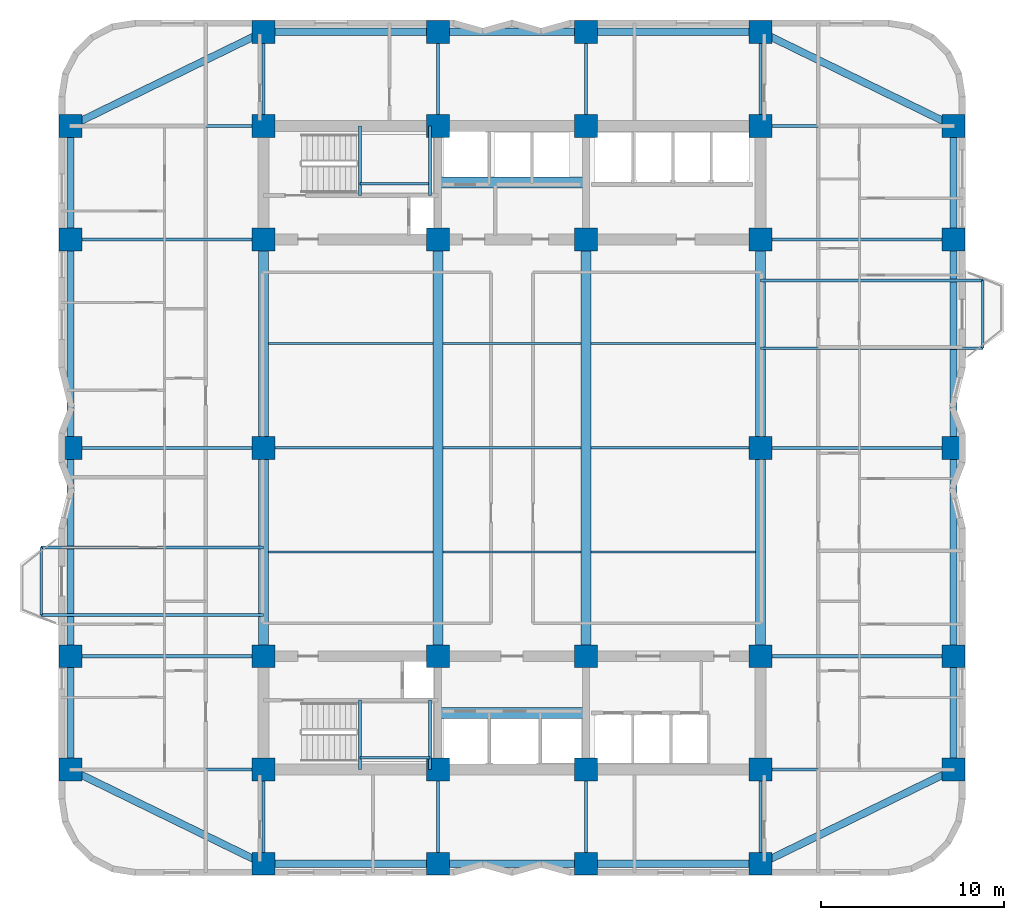
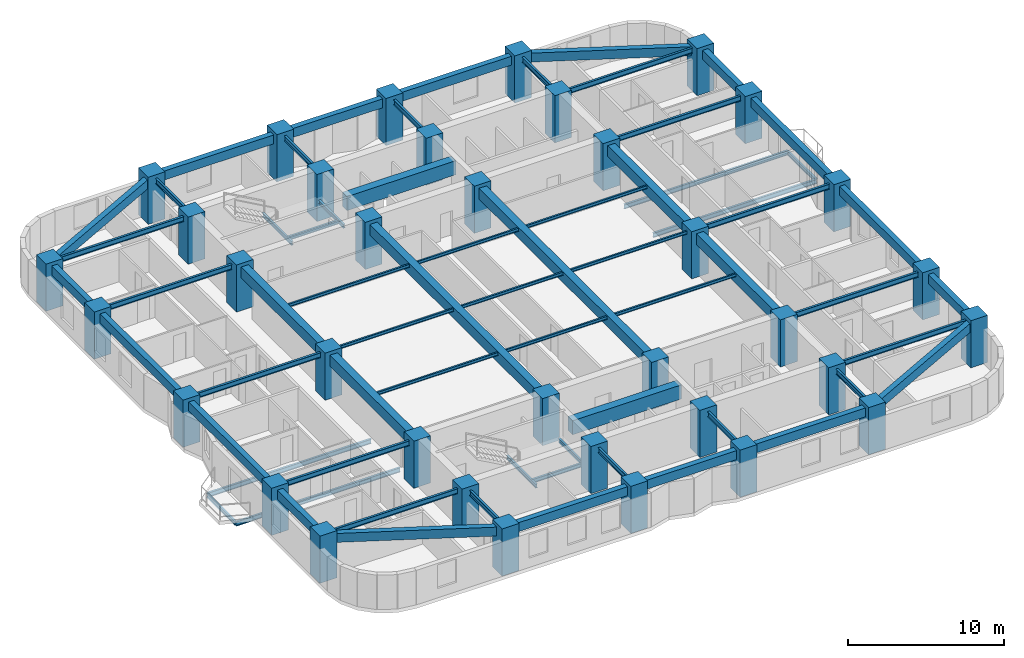
# One storey, part 1 of 9: 65 beams, 36 columns.
"""IFC4 building model written with IfcOpenShell, lengths in metres."""

from ifc_helpers import new_model, si_unit, direction, frame, origin, origin_2d, place, context, subcontext, project, spatial, rectangle, i_section, extrude, material, material_profile, profile_set, type_object, element, save


model = new_model("IFC4")

# Units and contexts
model_context = context("Model", 3, precision=1e-05, world=origin(), true_north=direction((0.0, 1.0)))
body_context = subcontext(model_context, "Body", "Model", "MODEL_VIEW")
ifc_project = project(units=[si_unit("LENGTHUNIT", "METRE"), si_unit("AREAUNIT", "SQUARE_METRE"), si_unit("VOLUMEUNIT", "CUBIC_METRE"), si_unit("PLANEANGLEUNIT", "RADIAN"), si_unit("MASSUNIT", "GRAM", prefix="KILO")], contexts=[model_context])

# Site, building, storey
site_placement = place(None, origin())
site = spatial("IfcSite", under=ifc_project, at=site_placement, CompositionType="ELEMENT")
building_placement = place(site_placement, origin())
building = spatial("IfcBuilding", under=site, at=building_placement, Name="Svetorya Sky Lyceum", CompositionType="ELEMENT")
storey_placement = place(building_placement, frame((0.0, 0.0, 32.5)))
storey = spatial("IfcBuildingStorey", under=building, at=storey_placement, Name="L07", CompositionType="ELEMENT", Elevation=32.5)

# Columns
ifc_material_1 = material(Name="Concrete C60/75", Category="concrete")
ifc_material_profile_1 = material_profile(ifc_material_1, rectangle(XDim=1.25, YDim=1.25, at=origin_2d()), Name="RC COL 1250x1250")
ifc_profile_set_1 = profile_set([ifc_material_profile_1], Name="Concrete C60/75")
column_type = type_object("IfcColumnType", Name="COL-RC-1250", PredefinedType="COLUMN", material=ifc_profile_set_1)
for number, where, z_axis, x_axis, name in (
    (1, (25.60009765625, 10.60009765625, 0.0), (0.0, 0.0, 1.0), (1.0, 0.0, 0.0), "L07 Core Column CS-11"),
    (2, (25.60009765625, 16.800048828125, 0.0), (0.0, 0.0, 1.0), (1.0, 0.0, 0.0), "L07 Core Column CS-12"),
    (3, (35.14990234375, 10.60009765625, 0.0), (0.0, 0.0, 1.0), (1.0, 0.0, 0.0), "L07 Core Column CS-21"),
    (4, (35.14990234375, 16.800048828125, 0.0), (0.0, 0.0, 1.0), (1.0, 0.0, 0.0), "L07 Core Column CS-22"),
    (5, (43.25, 10.60009765625, 0.0), (0.0, 0.0, 1.0), (1.0, 0.0, 0.0), "L07 Core Column CS-31"),
    (6, (43.25, 16.800048828125, 0.0), (0.0, 0.0, 1.0), (1.0, 0.0, 0.0), "L07 Core Column CS-32"),
    (7, (52.800048828125, 10.60009765625, 0.0), (0.0, 0.0, 1.0), (1.0, 0.0, 0.0), "L07 Core Column CS-41"),
    (8, (52.800048828125, 16.800048828125, 0.0), (0.0, 0.0, 1.0), (1.0, 0.0, 0.0), "L07 Core Column CS-42"),
    (9, (25.60009765625, 39.60009765625, 0.0), (0.0, 0.0, 1.0), (1.0, 0.0, 0.0), "L07 Core Column CN-11"),
    (10, (25.60009765625, 45.800048828125, 0.0), (0.0, 0.0, 1.0), (1.0, 0.0, 0.0), "L07 Core Column CN-12"),
    (11, (35.14990234375, 39.60009765625, 0.0), (0.0, 0.0, 1.0), (1.0, 0.0, 0.0), "L07 Core Column CN-21"),
    (12, (35.14990234375, 45.800048828125, 0.0), (0.0, 0.0, 1.0), (1.0, 0.0, 0.0), "L07 Core Column CN-22"),
    (13, (43.25, 39.60009765625, 0.0), (0.0, 0.0, 1.0), (1.0, 0.0, 0.0), "L07 Core Column CN-31"),
    (14, (43.25, 45.800048828125, 0.0), (0.0, 0.0, 1.0), (1.0, 0.0, 0.0), "L07 Core Column CN-32"),
    (15, (52.800048828125, 39.60009765625, 0.0), (0.0, 0.0, 1.0), (1.0, 0.0, 0.0), "L07 Core Column CN-41"),
    (16, (52.800048828125, 45.800048828125, 0.0), (0.0, 0.0, 1.0), (1.0, 0.0, 0.0), "L07 Core Column CN-42"),
    (17, (25.60009765625, 28.199951171875, 0.0), (0.0, 0.0, 1.0), (1.0, 0.0, 0.0), "L07 Core Column CM-W"),
    (18, (52.800048828125, 28.199951171875, 0.0), (0.0, 0.0, 1.0), (1.0, 0.0, 0.0), "L07 Core Column CM-E"),
    (19, (25.60009765625, 5.449951171875, 0.0), (0.0, 0.0, 1.0), (1.0, 0.0, 0.0), "L07 Perimeter Column S1"),
    (20, (25.60009765625, 50.949951171875, 0.0), (0.0, 0.0, 1.0), (1.0, 0.0, 0.0), "L07 Perimeter Column N1"),
    (21, (35.14990234375, 5.449951171875, 0.0), (0.0, 0.0, 1.0), (1.0, 0.0, 0.0), "L07 Perimeter Column S2"),
    (22, (35.14990234375, 50.949951171875, 0.0), (0.0, 0.0, 1.0), (1.0, 0.0, 0.0), "L07 Perimeter Column N2"),
    (23, (43.25, 5.449951171875, 0.0), (0.0, 0.0, 1.0), (1.0, 0.0, 0.0), "L07 Perimeter Column S3"),
    (24, (43.25, 50.949951171875, 0.0), (0.0, 0.0, 1.0), (1.0, 0.0, 0.0), "L07 Perimeter Column N3"),
    (25, (52.800048828125, 5.449951171875, 0.0), (0.0, 0.0, 1.0), (1.0, 0.0, 0.0), "L07 Perimeter Column S4"),
    (26, (52.800048828125, 50.949951171875, 0.0), (0.0, 0.0, 1.0), (1.0, 0.0, 0.0), "L07 Perimeter Column N4"),
    (27, (15.050048828125, 10.60009765625, 0.0), (0.0, 0.0, 1.0), (1.0, 0.0, 0.0), "L07 Perimeter Column W1"),
    (28, (63.35009765625, 10.60009765625, 0.0), (0.0, 0.0, 1.0), (1.0, 0.0, 0.0), "L07 Perimeter Column E1"),
    (29, (15.050048828125, 16.800048828125, 0.0), (0.0, 0.0, 1.0), (1.0, 0.0, 0.0), "L07 Perimeter Column W2"),
    (30, (63.35009765625, 16.800048828125, 0.0), (0.0, 0.0, 1.0), (1.0, 0.0, 0.0), "L07 Perimeter Column E2"),
    (31, (15.050048828125, 28.199951171875, 0.0), (0.0, 0.0, 1.0), (1.0, 0.0, 0.0), "L07 Perimeter Column W3"),
    (32, (63.35009765625, 28.199951171875, 0.0), (0.0, 0.0, 1.0), (1.0, 0.0, 0.0), "L07 Perimeter Column E3"),
    (33, (15.050048828125, 39.60009765625, 0.0), (0.0, 0.0, 1.0), (1.0, 0.0, 0.0), "L07 Perimeter Column W4"),
    (34, (63.35009765625, 39.60009765625, 0.0), (0.0, 0.0, 1.0), (1.0, 0.0, 0.0), "L07 Perimeter Column E4"),
    (35, (15.050048828125, 45.800048828125, 0.0), (0.0, 0.0, 1.0), (1.0, 0.0, 0.0), "L07 Perimeter Column W5"),
    (36, (63.35009765625, 45.800048828125, 0.0), (0.0, 0.0, 1.0), (1.0, 0.0, 0.0), "L07 Perimeter Column E5"),
):
    element("IfcColumn", number, at=place(storey_placement, frame(where, z_axis=z_axis, x_axis=x_axis)), inside=storey, type_object=column_type, Name=name, PredefinedType="COLUMN", context=body_context, shape_type="SweptSolid", body=[
        extrude(rectangle(XDim=1.25, YDim=1.25, at=origin_2d()), origin(), (0.0, 0.0, 1.0), 3.699951171875),
    ])

# Beams
ifc_material_profile_2 = material_profile(ifc_material_1, rectangle(XDim=0.60009765625, YDim=1.10009765625, at=origin_2d()), Name="RC COUPLING 600x1100")
ifc_profile_set_2 = profile_set([ifc_material_profile_2], Name="Concrete C60/75")
beam_type_1 = type_object("IfcBeamType", Name="BM-CPL-1100", PredefinedType="LINTEL", material=ifc_profile_set_2)
for number, where, z_axis, x_axis, name in (
    (37, (35.14990234375, 13.699951171875, 2.8701171875), (1.0, 0.0, 0.0), (0.0, 1.0, 0.0), "L07 SC Core Coupling Beam"),
    (38, (35.14990234375, 42.699951171875, 2.8701171875), (1.0, 0.0, 0.0), (0.0, 1.0, 0.0), "L07 NC Core Coupling Beam"),
):
    element("IfcBeam", number, at=place(storey_placement, frame(where, z_axis=z_axis, x_axis=x_axis)), inside=storey, type_object=beam_type_1, Name=name, PredefinedType="LINTEL", context=body_context, shape_type="SweptSolid", body=[
        extrude(rectangle(XDim=0.60009765625, YDim=1.10009765625, at=origin_2d()), origin(), (0.0, 0.0, 1.0), 8.10009765625),
    ])
ifc_material_2 = material(Name="Concrete C50/60", Category="concrete")
ifc_material_profile_3 = material_profile(ifc_material_2, rectangle(XDim=0.550048828125, YDim=0.85009765625, at=origin_2d()), Name="RC BEAM 550x850")
ifc_profile_set_3 = profile_set([ifc_material_profile_3], Name="Concrete C50/60")
beam_type_2 = type_object("IfcBeamType", Name="BM-RC-850", PredefinedType="BEAM", material=ifc_profile_set_3)
beam_1_placement = place(storey_placement, frame((25.60009765625, 16.800048828125, 2.9951171875), z_axis=(0.0, 1.0, 0.0), x_axis=(-1.0, 0.0, 0.0)))
element("IfcBeam", 39, at=beam_1_placement, inside=storey, type_object=beam_type_2, Name="L07 Central Bay Primary Girder CG-1A", PredefinedType="BEAM", context=body_context, shape_type="SweptSolid", body=[
    extrude(rectangle(XDim=0.550048828125, YDim=0.85009765625, at=origin_2d()), origin(), (0.0, 0.0, 1.0), 11.39990234375),
])
beam_2_placement = place(storey_placement, frame((25.60009765625, 28.199951171875, 2.9951171875), z_axis=(0.0, 1.0, 0.0), x_axis=(-1.0, 0.0, 0.0)))
element("IfcBeam", 40, at=beam_2_placement, inside=storey, type_object=beam_type_2, Name="L07 Central Bay Primary Girder CG-1B", PredefinedType="BEAM", context=body_context, shape_type="SweptSolid", body=[
    extrude(rectangle(XDim=0.550048828125, YDim=0.85009765625, at=origin_2d()), origin(), (0.0, 0.0, 1.0), 11.400146484375),
])
for number, where, z_axis, x_axis, name in (
    (41, (35.14990234375, 16.800048828125, 2.9951171875), (0.0, 1.0, 0.0), (-1.0, 0.0, 0.0), "L07 Central Bay Primary Girder CG-2"),
    (42, (43.25, 16.800048828125, 2.9951171875), (0.0, 1.0, 0.0), (-1.0, 0.0, 0.0), "L07 Central Bay Primary Girder CG-3"),
):
    element("IfcBeam", number, at=place(storey_placement, frame(where, z_axis=z_axis, x_axis=x_axis)), inside=storey, type_object=beam_type_2, Name=name, PredefinedType="BEAM", context=body_context, shape_type="SweptSolid", body=[
        extrude(rectangle(XDim=0.550048828125, YDim=0.85009765625, at=origin_2d()), origin(), (0.0, 0.0, 1.0), 22.800048828125),
    ])
beam_3_placement = place(storey_placement, frame((52.800048828125, 16.800048828125, 2.9951171875), z_axis=(0.0, 1.0, 0.0), x_axis=(-1.0, 0.0, 0.0)))
element("IfcBeam", 43, at=beam_3_placement, inside=storey, type_object=beam_type_2, Name="L07 Central Bay Primary Girder CG-4A", PredefinedType="BEAM", context=body_context, shape_type="SweptSolid", body=[
    extrude(rectangle(XDim=0.550048828125, YDim=0.85009765625, at=origin_2d()), origin(), (0.0, 0.0, 1.0), 11.39990234375),
])
beam_4_placement = place(storey_placement, frame((52.800048828125, 28.199951171875, 2.9951171875), z_axis=(0.0, 1.0, 0.0), x_axis=(-1.0, 0.0, 0.0)))
element("IfcBeam", 44, at=beam_4_placement, inside=storey, type_object=beam_type_2, Name="L07 Central Bay Primary Girder CG-4B", PredefinedType="BEAM", context=body_context, shape_type="SweptSolid", body=[
    extrude(rectangle(XDim=0.550048828125, YDim=0.85009765625, at=origin_2d()), origin(), (0.0, 0.0, 1.0), 11.400146484375),
])
ifc_material_profile_4 = material_profile(ifc_material_2, rectangle(XDim=0.39990234375, YDim=0.699951171875, at=origin_2d()), Name="RC SPANDREL 400x700")
ifc_profile_set_4 = profile_set([ifc_material_profile_4], Name="Concrete C50/60")
beam_type_3 = type_object("IfcBeamType", Name="BM-SPN-700", PredefinedType="SPANDREL", material=ifc_profile_set_4)
beam_5_placement = place(storey_placement, frame((25.60009765625, 5.449951171875, 3.070068359375), z_axis=(1.0, 0.0, 0.0), x_axis=(0.0, 1.0, 0.0)))
element("IfcBeam", 45, at=beam_5_placement, inside=storey, type_object=beam_type_3, Name="L07 South Spandrel 1", PredefinedType="SPANDREL", context=body_context, shape_type="SweptSolid", body=[
    extrude(rectangle(XDim=0.39990234375, YDim=0.699951171875, at=origin_2d()), origin(), (0.0, 0.0, 1.0), 9.5498046875),
])
beam_6_placement = place(storey_placement, frame((35.14990234375, 5.449951171875, 3.070068359375), z_axis=(1.0, 0.0, 0.0), x_axis=(0.0, 1.0, 0.0)))
element("IfcBeam", 46, at=beam_6_placement, inside=storey, type_object=beam_type_3, Name="L07 South Spandrel 2", PredefinedType="SPANDREL", context=body_context, shape_type="SweptSolid", body=[
    extrude(rectangle(XDim=0.39990234375, YDim=0.699951171875, at=origin_2d()), origin(), (0.0, 0.0, 1.0), 8.10009765625),
])
beam_7_placement = place(storey_placement, frame((43.25, 5.449951171875, 3.070068359375), z_axis=(1.0, 0.0, 0.0), x_axis=(0.0, 1.0, 0.0)))
element("IfcBeam", 47, at=beam_7_placement, inside=storey, type_object=beam_type_3, Name="L07 South Spandrel 3", PredefinedType="SPANDREL", context=body_context, shape_type="SweptSolid", body=[
    extrude(rectangle(XDim=0.39990234375, YDim=0.699951171875, at=origin_2d()), origin(), (0.0, 0.0, 1.0), 9.550048828125),
])
beam_8_placement = place(storey_placement, frame((25.60009765625, 50.949951171875, 3.070068359375), z_axis=(1.0, 0.0, 0.0), x_axis=(0.0, 1.0, 0.0)))
element("IfcBeam", 48, at=beam_8_placement, inside=storey, type_object=beam_type_3, Name="L07 North Spandrel 1", PredefinedType="SPANDREL", context=body_context, shape_type="SweptSolid", body=[
    extrude(rectangle(XDim=0.39990234375, YDim=0.699951171875, at=origin_2d()), origin(), (0.0, 0.0, 1.0), 9.5498046875),
])
beam_9_placement = place(storey_placement, frame((35.14990234375, 50.949951171875, 3.070068359375), z_axis=(1.0, 0.0, 0.0), x_axis=(0.0, 1.0, 0.0)))
element("IfcBeam", 49, at=beam_9_placement, inside=storey, type_object=beam_type_3, Name="L07 North Spandrel 2", PredefinedType="SPANDREL", context=body_context, shape_type="SweptSolid", body=[
    extrude(rectangle(XDim=0.39990234375, YDim=0.699951171875, at=origin_2d()), origin(), (0.0, 0.0, 1.0), 8.10009765625),
])
beam_10_placement = place(storey_placement, frame((43.25, 50.949951171875, 3.070068359375), z_axis=(1.0, 0.0, 0.0), x_axis=(0.0, 1.0, 0.0)))
element("IfcBeam", 50, at=beam_10_placement, inside=storey, type_object=beam_type_3, Name="L07 North Spandrel 3", PredefinedType="SPANDREL", context=body_context, shape_type="SweptSolid", body=[
    extrude(rectangle(XDim=0.39990234375, YDim=0.699951171875, at=origin_2d()), origin(), (0.0, 0.0, 1.0), 9.550048828125),
])
for number, where, z_axis, x_axis, name in (
    (51, (25.60009765625, 5.449951171875, 3.070068359375), (-0.898641495694, 0.438683783854, 0.0), (-0.438683783854, -0.898641495694, 0.0), "L07 Corner Spandrel 1"),
    (52, (52.800048828125, 5.449951171875, 3.070068359375), (0.898641495694, 0.438683783854, 0.0), (-0.438683783854, 0.898641495694, 0.0), "L07 Corner Spandrel 2"),
    (53, (63.35009765625, 45.800048828125, 3.070068359375), (-0.898649693653, 0.438666989978, 0.0), (-0.438666989978, -0.898649693653, 0.0), "L07 Corner Spandrel 3"),
    (54, (15.050048828125, 45.800048828125, 3.070068359375), (0.898649693653, 0.438666989978, 0.0), (-0.438666989978, 0.898649693653, 0.0), "L07 Corner Spandrel 4"),
):
    element("IfcBeam", number, at=place(storey_placement, frame(where, z_axis=z_axis, x_axis=x_axis)), inside=storey, type_object=beam_type_3, Name=name, PredefinedType="SPANDREL", context=body_context, shape_type="SweptSolid", body=[
        extrude(rectangle(XDim=0.39990234375, YDim=0.699951171875, at=origin_2d()), origin(), (0.0, 0.0, 1.0), 11.739990234375),
    ])
beam_11_placement = place(storey_placement, frame((15.050048828125, 10.60009765625, 3.070068359375), z_axis=(0.0, 1.0, 0.0), x_axis=(-1.0, 0.0, 0.0)))
element("IfcBeam", 55, at=beam_11_placement, inside=storey, type_object=beam_type_3, Name="L07 West Spandrel 1", PredefinedType="SPANDREL", context=body_context, shape_type="SweptSolid", body=[
    extrude(rectangle(XDim=0.39990234375, YDim=0.699951171875, at=origin_2d()), origin(), (0.0, 0.0, 1.0), 6.199951171875),
])
beam_12_placement = place(storey_placement, frame((15.050048828125, 16.800048828125, 3.070068359375), z_axis=(0.0, 1.0, 0.0), x_axis=(-1.0, 0.0, 0.0)))
element("IfcBeam", 56, at=beam_12_placement, inside=storey, type_object=beam_type_3, Name="L07 West Spandrel 2", PredefinedType="SPANDREL", context=body_context, shape_type="SweptSolid", body=[
    extrude(rectangle(XDim=0.39990234375, YDim=0.699951171875, at=origin_2d()), origin(), (0.0, 0.0, 1.0), 11.39990234375),
])
beam_13_placement = place(storey_placement, frame((15.050048828125, 28.199951171875, 3.070068359375), z_axis=(0.0, 1.0, 0.0), x_axis=(-1.0, 0.0, 0.0)))
element("IfcBeam", 57, at=beam_13_placement, inside=storey, type_object=beam_type_3, Name="L07 West Spandrel 3", PredefinedType="SPANDREL", context=body_context, shape_type="SweptSolid", body=[
    extrude(rectangle(XDim=0.39990234375, YDim=0.699951171875, at=origin_2d()), origin(), (0.0, 0.0, 1.0), 11.400146484375),
])
for number, where, z_axis, x_axis, name in (
    (58, (15.050048828125, 39.60009765625, 3.070068359375), (0.0, 1.0, 0.0), (-1.0, 0.0, 0.0), "L07 West Spandrel 4"),
    (59, (63.35009765625, 10.60009765625, 3.070068359375), (0.0, 1.0, 0.0), (-1.0, 0.0, 0.0), "L07 East Spandrel 1"),
):
    element("IfcBeam", number, at=place(storey_placement, frame(where, z_axis=z_axis, x_axis=x_axis)), inside=storey, type_object=beam_type_3, Name=name, PredefinedType="SPANDREL", context=body_context, shape_type="SweptSolid", body=[
        extrude(rectangle(XDim=0.39990234375, YDim=0.699951171875, at=origin_2d()), origin(), (0.0, 0.0, 1.0), 6.199951171875),
    ])
beam_14_placement = place(storey_placement, frame((63.35009765625, 16.800048828125, 3.070068359375), z_axis=(0.0, 1.0, 0.0), x_axis=(-1.0, 0.0, 0.0)))
element("IfcBeam", 60, at=beam_14_placement, inside=storey, type_object=beam_type_3, Name="L07 East Spandrel 2", PredefinedType="SPANDREL", context=body_context, shape_type="SweptSolid", body=[
    extrude(rectangle(XDim=0.39990234375, YDim=0.699951171875, at=origin_2d()), origin(), (0.0, 0.0, 1.0), 11.39990234375),
])
beam_15_placement = place(storey_placement, frame((63.35009765625, 28.199951171875, 3.070068359375), z_axis=(0.0, 1.0, 0.0), x_axis=(-1.0, 0.0, 0.0)))
element("IfcBeam", 61, at=beam_15_placement, inside=storey, type_object=beam_type_3, Name="L07 East Spandrel 3", PredefinedType="SPANDREL", context=body_context, shape_type="SweptSolid", body=[
    extrude(rectangle(XDim=0.39990234375, YDim=0.699951171875, at=origin_2d()), origin(), (0.0, 0.0, 1.0), 11.400146484375),
])
beam_16_placement = place(storey_placement, frame((63.35009765625, 39.60009765625, 3.070068359375), z_axis=(0.0, 1.0, 0.0), x_axis=(-1.0, 0.0, 0.0)))
element("IfcBeam", 62, at=beam_16_placement, inside=storey, type_object=beam_type_3, Name="L07 East Spandrel 4", PredefinedType="SPANDREL", context=body_context, shape_type="SweptSolid", body=[
    extrude(rectangle(XDim=0.39990234375, YDim=0.699951171875, at=origin_2d()), origin(), (0.0, 0.0, 1.0), 6.199951171875),
])
ifc_material_3 = material(Name="Steel S355", Category="steel")
ifc_material_profile_5 = material_profile(ifc_material_3, i_section(OverallWidth=0.1240234375, OverallDepth=0.248046875, WebThickness=0.006103515625, FlangeThickness=0.009521484375, at=origin_2d()), Name="GOST 25B2")
ifc_profile_set_5 = profile_set([ifc_material_profile_5], Name="Steel S355")
beam_type_4 = type_object("IfcBeamType", Name="BM-STL-25B2", PredefinedType="JOIST", material=ifc_profile_set_5)
beam_17_placement = place(storey_placement, frame((25.875, 22.5, 3.2958984375), z_axis=(1.0, 0.0, 0.0), x_axis=(0.0, 1.0, 0.0)))
element("IfcBeam", 63, at=beam_17_placement, inside=storey, type_object=beam_type_4, Name="L07 Central Floor Joist CJ-1.1", PredefinedType="JOIST", context=body_context, shape_type="SweptSolid", body=[
    extrude(i_section(OverallWidth=0.1240234375, OverallDepth=0.248046875, WebThickness=0.006103515625, FlangeThickness=0.009521484375, at=origin_2d()), origin(), (0.0, 0.0, 1.0), 9.0),
])
beam_18_placement = place(storey_placement, frame((35.425048828125, 22.5, 3.2958984375), z_axis=(1.0, 0.0, 0.0), x_axis=(0.0, 1.0, 0.0)))
element("IfcBeam", 64, at=beam_18_placement, inside=storey, type_object=beam_type_4, Name="L07 Central Floor Joist CJ-1.2", PredefinedType="JOIST", context=body_context, shape_type="SweptSolid", body=[
    extrude(i_section(OverallWidth=0.1240234375, OverallDepth=0.248046875, WebThickness=0.006103515625, FlangeThickness=0.009521484375, at=origin_2d()), origin(), (0.0, 0.0, 1.0), 7.550048828125),
])
for number, where, z_axis, x_axis, name in (
    (65, (43.52490234375, 22.5, 3.2958984375), (1.0, 0.0, 0.0), (0.0, 1.0, 0.0), "L07 Central Floor Joist CJ-1.3"),
    (66, (25.875, 28.199951171875, 3.2958984375), (1.0, 0.0, 0.0), (0.0, 1.0, 0.0), "L07 Central Floor Joist CJ-2.1"),
):
    element("IfcBeam", number, at=place(storey_placement, frame(where, z_axis=z_axis, x_axis=x_axis)), inside=storey, type_object=beam_type_4, Name=name, PredefinedType="JOIST", context=body_context, shape_type="SweptSolid", body=[
        extrude(i_section(OverallWidth=0.1240234375, OverallDepth=0.248046875, WebThickness=0.006103515625, FlangeThickness=0.009521484375, at=origin_2d()), origin(), (0.0, 0.0, 1.0), 9.0),
    ])
beam_19_placement = place(storey_placement, frame((35.425048828125, 28.199951171875, 3.2958984375), z_axis=(1.0, 0.0, 0.0), x_axis=(0.0, 1.0, 0.0)))
element("IfcBeam", 67, at=beam_19_placement, inside=storey, type_object=beam_type_4, Name="L07 Central Floor Joist CJ-2.2", PredefinedType="JOIST", context=body_context, shape_type="SweptSolid", body=[
    extrude(i_section(OverallWidth=0.1240234375, OverallDepth=0.248046875, WebThickness=0.006103515625, FlangeThickness=0.009521484375, at=origin_2d()), origin(), (0.0, 0.0, 1.0), 7.550048828125),
])
for number, where, z_axis, x_axis, name in (
    (68, (43.52490234375, 28.199951171875, 3.2958984375), (1.0, 0.0, 0.0), (0.0, 1.0, 0.0), "L07 Central Floor Joist CJ-2.3"),
    (69, (25.875, 33.89990234375, 3.2958984375), (1.0, 0.0, 0.0), (0.0, 1.0, 0.0), "L07 Central Floor Joist CJ-3.1"),
):
    element("IfcBeam", number, at=place(storey_placement, frame(where, z_axis=z_axis, x_axis=x_axis)), inside=storey, type_object=beam_type_4, Name=name, PredefinedType="JOIST", context=body_context, shape_type="SweptSolid", body=[
        extrude(i_section(OverallWidth=0.1240234375, OverallDepth=0.248046875, WebThickness=0.006103515625, FlangeThickness=0.009521484375, at=origin_2d()), origin(), (0.0, 0.0, 1.0), 9.0),
    ])
beam_20_placement = place(storey_placement, frame((35.425048828125, 33.89990234375, 3.2958984375), z_axis=(1.0, 0.0, 0.0), x_axis=(0.0, 1.0, 0.0)))
element("IfcBeam", 70, at=beam_20_placement, inside=storey, type_object=beam_type_4, Name="L07 Central Floor Joist CJ-3.2", PredefinedType="JOIST", context=body_context, shape_type="SweptSolid", body=[
    extrude(i_section(OverallWidth=0.1240234375, OverallDepth=0.248046875, WebThickness=0.006103515625, FlangeThickness=0.009521484375, at=origin_2d()), origin(), (0.0, 0.0, 1.0), 7.550048828125),
])
beam_21_placement = place(storey_placement, frame((43.52490234375, 33.89990234375, 3.2958984375), z_axis=(1.0, 0.0, 0.0), x_axis=(0.0, 1.0, 0.0)))
element("IfcBeam", 71, at=beam_21_placement, inside=storey, type_object=beam_type_4, Name="L07 Central Floor Joist CJ-3.3", PredefinedType="JOIST", context=body_context, shape_type="SweptSolid", body=[
    extrude(i_section(OverallWidth=0.1240234375, OverallDepth=0.248046875, WebThickness=0.006103515625, FlangeThickness=0.009521484375, at=origin_2d()), origin(), (0.0, 0.0, 1.0), 9.0),
])
ifc_material_profile_6 = material_profile(ifc_material_3, i_section(OverallWidth=0.14990234375, OverallDepth=0.299072265625, WebThickness=0.006591796875, FlangeThickness=0.010498046875, at=origin_2d()), Name="GOST 30B2")
ifc_profile_set_6 = profile_set([ifc_material_profile_6], Name="Steel S355")
beam_type_5 = type_object("IfcBeamType", Name="BM-STL-30B2", PredefinedType="JOIST", material=ifc_profile_set_6)
beam_22_placement = place(storey_placement, frame((13.449951171875, 19.050048828125, -0.45458984375), z_axis=(0.0, 1.0, 0.0), x_axis=(-1.0, 0.0, 0.0)))
element("IfcBeam", 72, at=beam_22_placement, inside=storey, type_object=beam_type_5, Name="L07 Balcony Edge Tie BAL-W1", PredefinedType="JOIST", context=body_context, shape_type="SweptSolid", body=[
    extrude(i_section(OverallWidth=0.14990234375, OverallDepth=0.299072265625, WebThickness=0.006591796875, FlangeThickness=0.010498046875, at=origin_2d()), origin(), (0.0, 0.0, 1.0), 3.699951171875),
])
beam_23_placement = place(storey_placement, frame((64.949951171875, 33.64990234375, -0.45458984375), z_axis=(0.0, 1.0, 0.0), x_axis=(-1.0, 0.0, 0.0)))
element("IfcBeam", 73, at=beam_23_placement, inside=storey, type_object=beam_type_5, Name="L07 Balcony Edge Tie BAL-E1", PredefinedType="JOIST", context=body_context, shape_type="SweptSolid", body=[
    extrude(i_section(OverallWidth=0.14990234375, OverallDepth=0.299072265625, WebThickness=0.006591796875, FlangeThickness=0.010498046875, at=origin_2d()), origin(), (0.0, 0.0, 1.0), 3.7001953125),
])
for number, where, z_axis, x_axis, name in (
    (74, (30.8798828125, 10.60009765625, 1.50048828125), (0.0, 1.0, 0.0), (-1.0, 0.0, 0.0), "L07 Stair ST-S Half-Landing Support Beam 9.1"),
    (75, (34.719970703125, 10.60009765625, 1.50048828125), (0.0, 1.0, 0.0), (-1.0, 0.0, 0.0), "L07 Stair ST-S Half-Landing Support Beam 9.2"),
):
    element("IfcBeam", number, at=place(storey_placement, frame(where, z_axis=z_axis, x_axis=x_axis)), inside=storey, type_object=beam_type_5, Name=name, PredefinedType="JOIST", context=body_context, shape_type="SweptSolid", body=[
        extrude(i_section(OverallWidth=0.14990234375, OverallDepth=0.299072265625, WebThickness=0.006591796875, FlangeThickness=0.010498046875, at=origin_2d()), origin(), (0.0, 0.0, 1.0), 3.7998046875),
    ])
beam_24_placement = place(storey_placement, frame((30.8798828125, 11.25, 1.50048828125), z_axis=(1.0, 0.0, 0.0), x_axis=(0.0, 1.0, 0.0)))
element("IfcBeam", 76, at=beam_24_placement, inside=storey, type_object=beam_type_5, Name="L07 Stair ST-S Half-Landing Cross Tie 9", PredefinedType="JOIST", context=body_context, shape_type="SweptSolid", body=[
    extrude(i_section(OverallWidth=0.14990234375, OverallDepth=0.299072265625, WebThickness=0.006591796875, FlangeThickness=0.010498046875, at=origin_2d()), origin(), (0.0, 0.0, 1.0), 3.840087890625),
])
for number, where, z_axis, x_axis, name in (
    (77, (30.8798828125, 42.0, 1.50048828125), (0.0, 1.0, 0.0), (-1.0, 0.0, 0.0), "L07 Stair ST-N Half-Landing Support Beam 9.1"),
    (78, (34.719970703125, 42.0, 1.50048828125), (0.0, 1.0, 0.0), (-1.0, 0.0, 0.0), "L07 Stair ST-N Half-Landing Support Beam 9.2"),
):
    element("IfcBeam", number, at=place(storey_placement, frame(where, z_axis=z_axis, x_axis=x_axis)), inside=storey, type_object=beam_type_5, Name=name, PredefinedType="JOIST", context=body_context, shape_type="SweptSolid", body=[
        extrude(i_section(OverallWidth=0.14990234375, OverallDepth=0.299072265625, WebThickness=0.006591796875, FlangeThickness=0.010498046875, at=origin_2d()), origin(), (0.0, 0.0, 1.0), 3.800048828125),
    ])
beam_25_placement = place(storey_placement, frame((30.8798828125, 42.64990234375, 1.50048828125), z_axis=(1.0, 0.0, 0.0), x_axis=(0.0, 1.0, 0.0)))
element("IfcBeam", 79, at=beam_25_placement, inside=storey, type_object=beam_type_5, Name="L07 Stair ST-N Half-Landing Cross Tie 9", PredefinedType="JOIST", context=body_context, shape_type="SweptSolid", body=[
    extrude(i_section(OverallWidth=0.14990234375, OverallDepth=0.299072265625, WebThickness=0.006591796875, FlangeThickness=0.010498046875, at=origin_2d()), origin(), (0.0, 0.0, 1.0), 3.840087890625),
])
ifc_material_profile_7 = material_profile(ifc_material_3, i_section(OverallWidth=0.155029296875, OverallDepth=0.34912109375, WebThickness=0.007080078125, FlangeThickness=0.011474609375, at=origin_2d()), Name="GOST 35B2")
ifc_profile_set_7 = profile_set([ifc_material_profile_7], Name="Steel S355")
beam_type_6 = type_object("IfcBeamType", Name="BM-STL-35B2", PredefinedType="JOIST", material=ifc_profile_set_7)
for number, where, z_axis, x_axis, name in (
    (80, (25.60009765625, 19.050048828125, -0.45458984375), (-1.0, 0.0, 0.0), (0.0, -1.0, 0.0), "L07 Balcony Cantilever Beam BAL-W1-1"),
    (81, (25.60009765625, 22.75, -0.45458984375), (-1.0, 0.0, 0.0), (0.0, -1.0, 0.0), "L07 Balcony Cantilever Beam BAL-W1-2"),
):
    element("IfcBeam", number, at=place(storey_placement, frame(where, z_axis=z_axis, x_axis=x_axis)), inside=storey, type_object=beam_type_6, Name=name, PredefinedType="JOIST", context=body_context, shape_type="SweptSolid", body=[
        extrude(i_section(OverallWidth=0.155029296875, OverallDepth=0.34912109375, WebThickness=0.007080078125, FlangeThickness=0.011474609375, at=origin_2d()), origin(), (0.0, 0.0, 1.0), 12.150146484375),
    ])
for number, where, z_axis, x_axis, name in (
    (82, (52.800048828125, 33.64990234375, -0.45458984375), (1.0, 0.0, 0.0), (0.0, 1.0, 0.0), "L07 Balcony Cantilever Beam BAL-E1-1"),
    (83, (52.800048828125, 37.35009765625, -0.45458984375), (1.0, 0.0, 0.0), (0.0, 1.0, 0.0), "L07 Balcony Cantilever Beam BAL-E1-2"),
):
    element("IfcBeam", number, at=place(storey_placement, frame(where, z_axis=z_axis, x_axis=x_axis)), inside=storey, type_object=beam_type_6, Name=name, PredefinedType="JOIST", context=body_context, shape_type="SweptSolid", body=[
        extrude(i_section(OverallWidth=0.155029296875, OverallDepth=0.34912109375, WebThickness=0.007080078125, FlangeThickness=0.011474609375, at=origin_2d()), origin(), (0.0, 0.0, 1.0), 12.14990234375),
    ])
ifc_material_profile_8 = material_profile(ifc_material_3, i_section(OverallWidth=0.1650390625, OverallDepth=0.39990234375, WebThickness=0.008056640625, FlangeThickness=0.012939453125, at=origin_2d()), Name="GOST 40B2")
ifc_profile_set_8 = profile_set([ifc_material_profile_8], Name="Steel S355")
beam_type_7 = type_object("IfcBeamType", Name="BM-STL-40B2", PredefinedType="JOIST", material=ifc_profile_set_8)
for number, where, z_axis, x_axis, name in (
    (84, (15.050048828125, 10.60009765625, 3.219970703125), (1.0, 0.0, 0.0), (0.0, 1.0, 0.0), "L07 West Wing Floor Joist W1"),
    (85, (52.800048828125, 10.60009765625, 3.219970703125), (1.0, 0.0, 0.0), (0.0, 1.0, 0.0), "L07 East Wing Floor Joist E1"),
    (86, (15.050048828125, 16.800048828125, 3.219970703125), (1.0, 0.0, 0.0), (0.0, 1.0, 0.0), "L07 West Wing Floor Joist W2"),
    (87, (52.800048828125, 16.800048828125, 3.219970703125), (1.0, 0.0, 0.0), (0.0, 1.0, 0.0), "L07 East Wing Floor Joist E2"),
    (88, (15.050048828125, 28.199951171875, 3.219970703125), (1.0, 0.0, 0.0), (0.0, 1.0, 0.0), "L07 West Wing Floor Joist W3"),
    (89, (52.800048828125, 28.199951171875, 3.219970703125), (1.0, 0.0, 0.0), (0.0, 1.0, 0.0), "L07 East Wing Floor Joist E3"),
    (90, (15.050048828125, 39.60009765625, 3.219970703125), (1.0, 0.0, 0.0), (0.0, 1.0, 0.0), "L07 West Wing Floor Joist W4"),
    (91, (52.800048828125, 39.60009765625, 3.219970703125), (1.0, 0.0, 0.0), (0.0, 1.0, 0.0), "L07 East Wing Floor Joist E4"),
    (92, (15.050048828125, 45.800048828125, 3.219970703125), (1.0, 0.0, 0.0), (0.0, 1.0, 0.0), "L07 West Wing Floor Joist W5"),
    (93, (52.800048828125, 45.800048828125, 3.219970703125), (1.0, 0.0, 0.0), (0.0, 1.0, 0.0), "L07 East Wing Floor Joist E5"),
):
    element("IfcBeam", number, at=place(storey_placement, frame(where, z_axis=z_axis, x_axis=x_axis)), inside=storey, type_object=beam_type_7, Name=name, PredefinedType="JOIST", context=body_context, shape_type="SweptSolid", body=[
        extrude(i_section(OverallWidth=0.1650390625, OverallDepth=0.39990234375, WebThickness=0.008056640625, FlangeThickness=0.012939453125, at=origin_2d()), origin(), (0.0, 0.0, 1.0), 10.550048828125),
    ])
beam_26_placement = place(storey_placement, frame((25.60009765625, 5.449951171875, 3.219970703125), z_axis=(0.0, 1.0, 0.0), x_axis=(-1.0, 0.0, 0.0)))
element("IfcBeam", 94, at=beam_26_placement, inside=storey, type_object=beam_type_7, Name="L07 South Bay Floor Girder S1", PredefinedType="JOIST", context=body_context, shape_type="SweptSolid", body=[
    extrude(i_section(OverallWidth=0.1650390625, OverallDepth=0.39990234375, WebThickness=0.008056640625, FlangeThickness=0.012939453125, at=origin_2d()), origin(), (0.0, 0.0, 1.0), 5.150146484375),
])
beam_27_placement = place(storey_placement, frame((25.60009765625, 45.800048828125, 3.219970703125), z_axis=(0.0, 1.0, 0.0), x_axis=(-1.0, 0.0, 0.0)))
element("IfcBeam", 95, at=beam_27_placement, inside=storey, type_object=beam_type_7, Name="L07 North Bay Floor Girder N1", PredefinedType="JOIST", context=body_context, shape_type="SweptSolid", body=[
    extrude(i_section(OverallWidth=0.1650390625, OverallDepth=0.39990234375, WebThickness=0.008056640625, FlangeThickness=0.012939453125, at=origin_2d()), origin(), (0.0, 0.0, 1.0), 5.14990234375),
])
beam_28_placement = place(storey_placement, frame((35.14990234375, 5.449951171875, 3.219970703125), z_axis=(0.0, 1.0, 0.0), x_axis=(-1.0, 0.0, 0.0)))
element("IfcBeam", 96, at=beam_28_placement, inside=storey, type_object=beam_type_7, Name="L07 South Bay Floor Girder S2", PredefinedType="JOIST", context=body_context, shape_type="SweptSolid", body=[
    extrude(i_section(OverallWidth=0.1650390625, OverallDepth=0.39990234375, WebThickness=0.008056640625, FlangeThickness=0.012939453125, at=origin_2d()), origin(), (0.0, 0.0, 1.0), 5.150146484375),
])
beam_29_placement = place(storey_placement, frame((35.14990234375, 45.800048828125, 3.219970703125), z_axis=(0.0, 1.0, 0.0), x_axis=(-1.0, 0.0, 0.0)))
element("IfcBeam", 97, at=beam_29_placement, inside=storey, type_object=beam_type_7, Name="L07 North Bay Floor Girder N2", PredefinedType="JOIST", context=body_context, shape_type="SweptSolid", body=[
    extrude(i_section(OverallWidth=0.1650390625, OverallDepth=0.39990234375, WebThickness=0.008056640625, FlangeThickness=0.012939453125, at=origin_2d()), origin(), (0.0, 0.0, 1.0), 5.14990234375),
])
beam_30_placement = place(storey_placement, frame((43.25, 5.449951171875, 3.219970703125), z_axis=(0.0, 1.0, 0.0), x_axis=(-1.0, 0.0, 0.0)))
element("IfcBeam", 98, at=beam_30_placement, inside=storey, type_object=beam_type_7, Name="L07 South Bay Floor Girder S3", PredefinedType="JOIST", context=body_context, shape_type="SweptSolid", body=[
    extrude(i_section(OverallWidth=0.1650390625, OverallDepth=0.39990234375, WebThickness=0.008056640625, FlangeThickness=0.012939453125, at=origin_2d()), origin(), (0.0, 0.0, 1.0), 5.150146484375),
])
beam_31_placement = place(storey_placement, frame((43.25, 45.800048828125, 3.219970703125), z_axis=(0.0, 1.0, 0.0), x_axis=(-1.0, 0.0, 0.0)))
element("IfcBeam", 99, at=beam_31_placement, inside=storey, type_object=beam_type_7, Name="L07 North Bay Floor Girder N3", PredefinedType="JOIST", context=body_context, shape_type="SweptSolid", body=[
    extrude(i_section(OverallWidth=0.1650390625, OverallDepth=0.39990234375, WebThickness=0.008056640625, FlangeThickness=0.012939453125, at=origin_2d()), origin(), (0.0, 0.0, 1.0), 5.14990234375),
])
beam_32_placement = place(storey_placement, frame((52.800048828125, 5.449951171875, 3.219970703125), z_axis=(0.0, 1.0, 0.0), x_axis=(-1.0, 0.0, 0.0)))
element("IfcBeam", 100, at=beam_32_placement, inside=storey, type_object=beam_type_7, Name="L07 South Bay Floor Girder S4", PredefinedType="JOIST", context=body_context, shape_type="SweptSolid", body=[
    extrude(i_section(OverallWidth=0.1650390625, OverallDepth=0.39990234375, WebThickness=0.008056640625, FlangeThickness=0.012939453125, at=origin_2d()), origin(), (0.0, 0.0, 1.0), 5.150146484375),
])
beam_33_placement = place(storey_placement, frame((52.800048828125, 45.800048828125, 3.219970703125), z_axis=(0.0, 1.0, 0.0), x_axis=(-1.0, 0.0, 0.0)))
element("IfcBeam", 101, at=beam_33_placement, inside=storey, type_object=beam_type_7, Name="L07 North Bay Floor Girder N4", PredefinedType="JOIST", context=body_context, shape_type="SweptSolid", body=[
    extrude(i_section(OverallWidth=0.1650390625, OverallDepth=0.39990234375, WebThickness=0.008056640625, FlangeThickness=0.012939453125, at=origin_2d()), origin(), (0.0, 0.0, 1.0), 5.14990234375),
])

save(model, "model.ifc")
